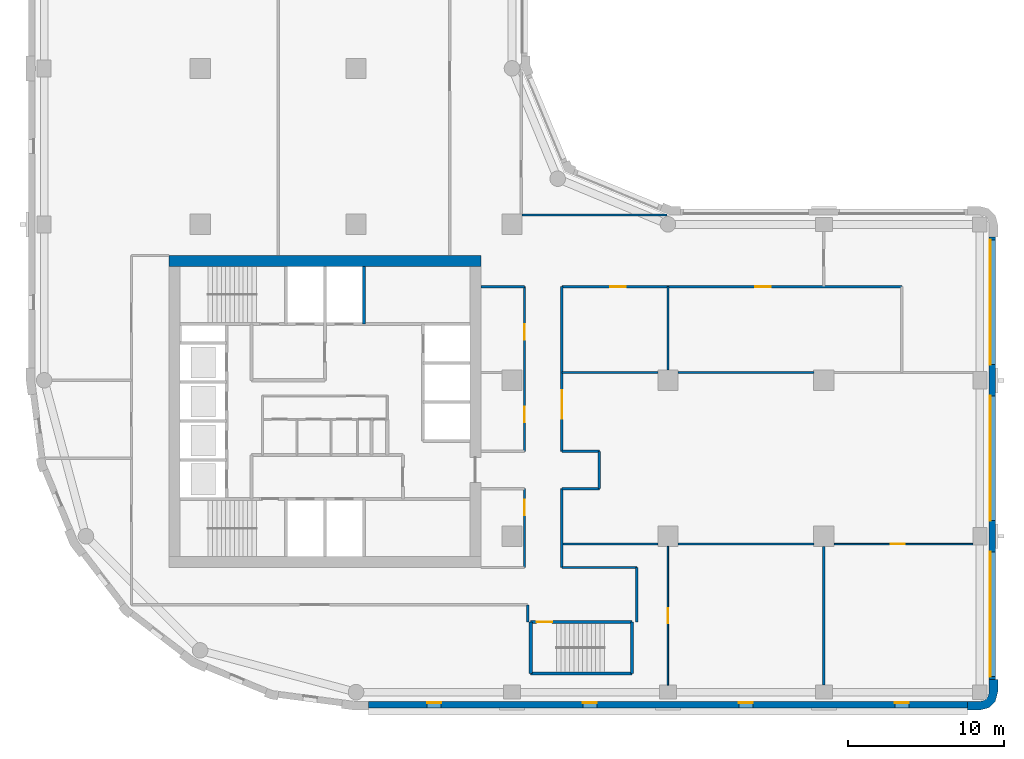
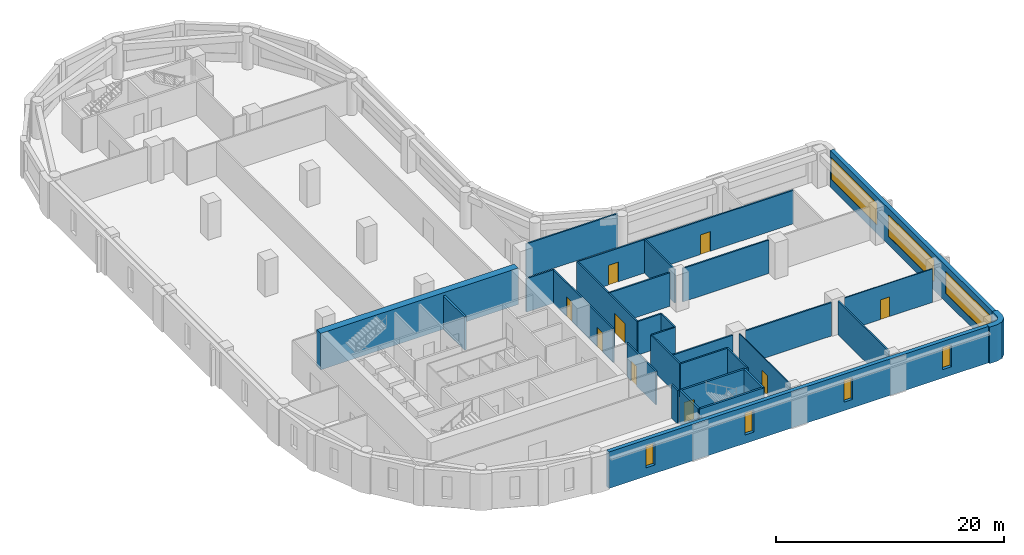
# One storey, part 4 of 9: 30 walls, 9 doors, 7 windows, 16 openings.
"""IFC4 building model written with IfcOpenShell, lengths in metres."""

from ifc_helpers import new_model, si_unit, direction, frame, frame_2d, origin, place, context, subcontext, project, spatial, polyline, rectangle, outline, extrude, material, layer, layer_set, type_object, element, fill, save


model = new_model("IFC4")

# Units and contexts
model_context = context("Model", 3, precision=1e-05, world=origin(), true_north=direction((0.0, 1.0)))
body_context = subcontext(model_context, "Body", "Model", "MODEL_VIEW")
ifc_project = project(units=[si_unit("LENGTHUNIT", "METRE"), si_unit("AREAUNIT", "SQUARE_METRE"), si_unit("VOLUMEUNIT", "CUBIC_METRE"), si_unit("PLANEANGLEUNIT", "RADIAN"), si_unit("MASSUNIT", "GRAM", prefix="KILO")], contexts=[model_context])

# Site, building, storey
site_placement = place(None, origin())
site = spatial("IfcSite", under=ifc_project, at=site_placement, CompositionType="ELEMENT")
building_placement = place(site_placement, origin())
building = spatial("IfcBuilding", under=site, at=building_placement, Name="Qaws Garden Tower", CompositionType="ELEMENT")
storey_placement = place(building_placement, frame((0.0, 0.0, 221.39990234375)))
storey = spatial("IfcBuildingStorey", under=building, at=storey_placement, Name="L54", CompositionType="ELEMENT", Elevation=221.39990234375)

# Wall
ifc_material_1 = material(Name="Clay facing brick masonry", Category="masonry")
ifc_layer_1 = layer(ifc_material_1, 0.550048828125)
ifc_layer_set_1 = layer_set([ifc_layer_1], Name="Clay facing brick masonry")
wall_type_1 = type_object("IfcWallType", Name="Brick corner pier 550 x 2400", PredefinedType="SOLIDWALL", material=ifc_layer_set_1)
wall_1_placement = place(storey_placement, origin())
element("IfcWall", 1, at=wall_1_placement, inside=storey, type_object=wall_type_1, Name="E-L54-pier-04", PredefinedType="SOLIDWALL", context=body_context, shape_type="SweptSolid", body=[
    extrude(outline(polyline([(59.199951171875, -1.0), (59.199951171875, -1.14990234375), (60.0, -1.14990234375), (60.574951171875, -0.995849609375), (60.995849609375, -0.574951171875), (61.14990234375, 0.0), (61.14990234375, 0.800048828125), (61.0, 0.800048828125), (60.60009765625, 0.800048828125), (60.60009765625, 0.0), (60.51953125, -0.300048828125), (60.300048828125, -0.51953125), (60.0, -0.60009765625), (59.199951171875, -0.60009765625), (59.199951171875, -1.0)])), origin(), (0.0, 0.0, 1.0), 3.900146484375),
])

# Wall, openings, windows
ifc_material_2 = material(Name="Clay facing brick masonry", Category="masonry")
ifc_layer_2 = layer(ifc_material_2, 0.39990234375)
ifc_layer_set_2 = layer_set([ifc_layer_2], Name="Clay facing brick masonry")
wall_type_2 = type_object("IfcWallType", Name="Brick infill wall 400", PredefinedType="SOLIDWALL", material=ifc_layer_set_2)
wall_2_placement = place(storey_placement, frame((20.800048828125, -0.800048828125, 0.0), z_axis=(0.0, 0.0, 1.0), x_axis=(1.0, 0.0, 0.0)))
wall_2 = element("IfcWall", 2, at=wall_2_placement, inside=storey, type_object=wall_type_2, Name="E-L54-infill-00", PredefinedType="SOLIDWALL", context=body_context, shape_type="SweptSolid", body=[
    extrude(rectangle(XDim=38.39990234375, YDim=0.39990234375, at=frame_2d((19.199951171875, 0.0))), origin(), (0.0, 0.0, 1.0), 3.900146484375),
])
opening_1_placement = place(wall_2_placement, frame((3.75, 0.0, 0.89990234375)))
opening_1 = element("IfcOpeningElement", 3, at=opening_1_placement, cuts=wall_2, Name="Opening W09", PredefinedType="OPENING", context=body_context, shape_type="SweptSolid", body=[
    extrude(rectangle(XDim=0.89990234375, YDim=2.35009765625, at=frame_2d((0.449951171875, 1.175048828125))), frame((0.0, 0.2099609375, 0.0), z_axis=(0.0, -1.0, 0.0), x_axis=(1.0, 0.0, 0.0)), (0.0, 0.0, 1.0), 0.419921875),
])
opening_2_placement = place(wall_2_placement, frame((13.75, 0.0, 0.89990234375)))
opening_2 = element("IfcOpeningElement", 4, at=opening_2_placement, cuts=wall_2, Name="Opening W09", PredefinedType="OPENING", context=body_context, shape_type="SweptSolid", body=[
    extrude(rectangle(XDim=0.89990234375, YDim=2.35009765625, at=frame_2d((0.449951171875, 1.175048828125))), frame((0.0, 0.2099609375, 0.0), z_axis=(0.0, -1.0, 0.0), x_axis=(1.0, 0.0, 0.0)), (0.0, 0.0, 1.0), 0.419921875),
])
opening_3_placement = place(wall_2_placement, frame((23.75, 0.0, 0.89990234375)))
opening_3 = element("IfcOpeningElement", 5, at=opening_3_placement, cuts=wall_2, Name="Opening W09", PredefinedType="OPENING", context=body_context, shape_type="SweptSolid", body=[
    extrude(rectangle(XDim=0.89990234375, YDim=2.35009765625, at=frame_2d((0.449951171875, 1.175048828125))), frame((0.0, 0.2099609375, 0.0), z_axis=(0.0, -1.0, 0.0), x_axis=(1.0, 0.0, 0.0)), (0.0, 0.0, 1.0), 0.419921875),
])
opening_4_placement = place(wall_2_placement, frame((33.75, 0.0, 0.89990234375)))
opening_4 = element("IfcOpeningElement", 6, at=opening_4_placement, cuts=wall_2, Name="Opening W09", PredefinedType="OPENING", context=body_context, shape_type="SweptSolid", body=[
    extrude(rectangle(XDim=0.89990234375, YDim=2.35009765625, at=frame_2d((0.449951171875, 1.175048828125))), frame((0.0, 0.2099609375, 0.0), z_axis=(0.0, -1.0, 0.0), x_axis=(1.0, 0.0, 0.0)), (0.0, 0.0, 1.0), 0.419921875),
])
ifc_material_3 = material(Name="Aluminium framed window, clear glazing", Category="aluminium")
window_type_1 = type_object("IfcWindowType", Name="Slit window 900 x 2350", PartitioningType="SINGLE_PANEL", PredefinedType="WINDOW", material=ifc_material_3)
window_1_placement = place(opening_1_placement, origin())
window_1 = element("IfcWindow", 7, at=window_1_placement, inside=storey, type_object=window_type_1, Name="E-L54-window-00-0", OverallHeight=2.35009765625, OverallWidth=0.89990234375, PartitioningType="SINGLE_PANEL", PredefinedType="WINDOW", context=body_context, shape_type="SweptSolid", body=[
    extrude(rectangle(XDim=0.89990234375, YDim=2.35009765625, at=frame_2d((0.449951171875, 1.175048828125))), frame((0.0, 0.159912109375, 0.0), z_axis=(0.0, -1.0, 0.0), x_axis=(1.0, 0.0, 0.0)), (0.0, 0.0, 1.0), 0.06005859375),
])
fill(opening_1, window_1)
window_2_placement = place(opening_2_placement, origin())
window_2 = element("IfcWindow", 8, at=window_2_placement, inside=storey, type_object=window_type_1, Name="E-L54-window-01-0", OverallHeight=2.35009765625, OverallWidth=0.89990234375, PartitioningType="SINGLE_PANEL", PredefinedType="WINDOW", context=body_context, shape_type="SweptSolid", body=[
    extrude(rectangle(XDim=0.89990234375, YDim=2.35009765625, at=frame_2d((0.449951171875, 1.175048828125))), frame((0.0, 0.159912109375, 0.0), z_axis=(0.0, -1.0, 0.0), x_axis=(1.0, 0.0, 0.0)), (0.0, 0.0, 1.0), 0.06005859375),
])
fill(opening_2, window_2)
window_3_placement = place(opening_3_placement, origin())
window_3 = element("IfcWindow", 9, at=window_3_placement, inside=storey, type_object=window_type_1, Name="E-L54-window-02-0", OverallHeight=2.35009765625, OverallWidth=0.89990234375, PartitioningType="SINGLE_PANEL", PredefinedType="WINDOW", context=body_context, shape_type="SweptSolid", body=[
    extrude(rectangle(XDim=0.89990234375, YDim=2.35009765625, at=frame_2d((0.449951171875, 1.175048828125))), frame((0.0, 0.159912109375, 0.0), z_axis=(0.0, -1.0, 0.0), x_axis=(1.0, 0.0, 0.0)), (0.0, 0.0, 1.0), 0.06005859375),
])
fill(opening_3, window_3)
window_4_placement = place(opening_4_placement, origin())
window_4 = element("IfcWindow", 10, at=window_4_placement, inside=storey, type_object=window_type_1, Name="E-L54-window-03-0", OverallHeight=2.35009765625, OverallWidth=0.89990234375, PartitioningType="SINGLE_PANEL", PredefinedType="WINDOW", context=body_context, shape_type="SweptSolid", body=[
    extrude(rectangle(XDim=0.89990234375, YDim=2.35009765625, at=frame_2d((0.449951171875, 1.175048828125))), frame((0.0, 0.159912109375, 0.0), z_axis=(0.0, -1.0, 0.0), x_axis=(1.0, 0.0, 0.0)), (0.0, 0.0, 1.0), 0.06005859375),
])
fill(opening_4, window_4)

wall_3_placement = place(storey_placement, frame((60.800048828125, 0.800048828125, 0.0), z_axis=(0.0, 0.0, 1.0), x_axis=(0.0, 1.0, 0.0)))
wall_3 = element("IfcWall", 11, at=wall_3_placement, inside=storey, type_object=wall_type_2, Name="E-L54-infill-04", PredefinedType="SOLIDWALL", context=body_context, shape_type="SweptSolid", body=[
    extrude(rectangle(XDim=28.39990234375, YDim=0.39990234375, at=frame_2d((14.199951171875, 0.0))), origin(), (0.0, 0.0, 1.0), 3.900146484375),
])
opening_5_placement = place(wall_3_placement, frame((0.199951171875, 0.0, 0.89990234375)))
opening_5 = element("IfcOpeningElement", 12, at=opening_5_placement, cuts=wall_3, Name="Opening W01", PredefinedType="OPENING", context=body_context, shape_type="SweptSolid", body=[
    extrude(rectangle(XDim=8.0, YDim=2.35009765625, at=frame_2d((4.0, 1.175048828125))), frame((0.0, 0.2099609375, 0.0), z_axis=(0.0, -1.0, 0.0), x_axis=(1.0, 0.0, 0.0)), (0.0, 0.0, 1.0), 0.419921875),
])
opening_6_placement = place(wall_3_placement, frame((10.199951171875, 0.0, 0.89990234375)))
opening_6 = element("IfcOpeningElement", 13, at=opening_6_placement, cuts=wall_3, Name="Opening W01", PredefinedType="OPENING", context=body_context, shape_type="SweptSolid", body=[
    extrude(rectangle(XDim=8.0, YDim=2.35009765625, at=frame_2d((4.0, 1.175048828125))), frame((0.0, 0.2099609375, 0.0), z_axis=(0.0, -1.0, 0.0), x_axis=(1.0, 0.0, 0.0)), (0.0, 0.0, 1.0), 0.419921875),
])
opening_7_placement = place(wall_3_placement, frame((20.199951171875, 0.0, 0.89990234375)))
opening_7 = element("IfcOpeningElement", 14, at=opening_7_placement, cuts=wall_3, Name="Opening W01", PredefinedType="OPENING", context=body_context, shape_type="SweptSolid", body=[
    extrude(rectangle(XDim=8.0, YDim=2.35009765625, at=frame_2d((4.0, 1.175048828125))), frame((0.0, 0.2099609375, 0.0), z_axis=(0.0, -1.0, 0.0), x_axis=(1.0, 0.0, 0.0)), (0.0, 0.0, 1.0), 0.419921875),
])
ifc_material_4 = material(Name="Aluminium framed window, clear glazing", Category="aluminium")
window_type_2 = type_object("IfcWindowType", Name="Ribbon window 8000 x 2350", PartitioningType="DOUBLE_PANEL_VERTICAL", PredefinedType="WINDOW", material=ifc_material_4)
window_5_placement = place(opening_5_placement, origin())
window_5 = element("IfcWindow", 15, at=window_5_placement, inside=storey, type_object=window_type_2, Name="E-L54-window-04-0", OverallHeight=2.35009765625, OverallWidth=8.0, PartitioningType="SINGLE_PANEL", PredefinedType="WINDOW", context=body_context, shape_type="SweptSolid", body=[
    extrude(rectangle(XDim=8.0, YDim=2.35009765625, at=frame_2d((4.0, 1.175048828125))), frame((0.0, 0.159912109375, 0.0), z_axis=(0.0, -1.0, 0.0), x_axis=(1.0, 0.0, 0.0)), (0.0, 0.0, 1.0), 0.06005859375),
])
fill(opening_5, window_5)
window_6_placement = place(opening_6_placement, origin())
window_6 = element("IfcWindow", 16, at=window_6_placement, inside=storey, type_object=window_type_2, Name="E-L54-window-05-0", OverallHeight=2.35009765625, OverallWidth=8.0, PartitioningType="SINGLE_PANEL", PredefinedType="WINDOW", context=body_context, shape_type="SweptSolid", body=[
    extrude(rectangle(XDim=8.0, YDim=2.35009765625, at=frame_2d((4.0, 1.175048828125))), frame((0.0, 0.159912109375, 0.0), z_axis=(0.0, -1.0, 0.0), x_axis=(1.0, 0.0, 0.0)), (0.0, 0.0, 1.0), 0.06005859375),
])
fill(opening_6, window_6)
window_7_placement = place(opening_7_placement, origin())
window_7 = element("IfcWindow", 17, at=window_7_placement, inside=storey, type_object=window_type_2, Name="E-L54-window-06-0", OverallHeight=2.35009765625, OverallWidth=8.0, PartitioningType="SINGLE_PANEL", PredefinedType="WINDOW", context=body_context, shape_type="SweptSolid", body=[
    extrude(rectangle(XDim=8.0, YDim=2.35009765625, at=frame_2d((4.0, 1.175048828125))), frame((0.0, 0.159912109375, 0.0), z_axis=(0.0, -1.0, 0.0), x_axis=(1.0, 0.0, 0.0)), (0.0, 0.0, 1.0), 0.06005859375),
])
fill(opening_7, window_7)

# Wall
ifc_material_5 = material(Name="Concrete C70", Category="concrete")
ifc_layer_3 = layer(ifc_material_5, 0.199951171875)
ifc_layer_set_3 = layer_set([ifc_layer_3], Name="Concrete C70")
wall_type_3 = type_object("IfcWallType", Name="Core shaft wall 200 C70", PredefinedType="SHEAR", material=ifc_layer_set_3)
wall_4_placement = place(storey_placement, frame((31.199951171875, 1.199951171875, 0.0), z_axis=(0.0, 0.0, 1.0), x_axis=(1.0, 0.0, 0.0)))
element("IfcWall", 18, at=wall_4_placement, inside=storey, type_object=wall_type_3, Name="Shaft wall", PredefinedType="SHEAR", context=body_context, shape_type="SweptSolid", body=[
    extrude(rectangle(XDim=6.5, YDim=0.199951171875, at=frame_2d((3.25, 0.0))), origin(), (0.0, 0.0, 1.0), 3.580078125),
])

# Wall, opening, door
wall_5_placement = place(storey_placement, frame((31.199951171875, 4.5, 0.0), z_axis=(0.0, 0.0, 1.0), x_axis=(1.0, 0.0, 0.0)))
wall_5 = element("IfcWall", 19, at=wall_5_placement, inside=storey, type_object=wall_type_3, Name="Shaft wall", PredefinedType="SHEAR", context=body_context, shape_type="SweptSolid", body=[
    extrude(rectangle(XDim=6.5, YDim=0.199951171875, at=frame_2d((3.25, 0.0))), origin(), (0.0, 0.0, 1.0), 3.580078125),
])
opening_8_placement = place(wall_5_placement, frame((0.375, 0.0, 0.0)))
opening_8 = element("IfcOpeningElement", 20, at=opening_8_placement, cuts=wall_5, Name="Opening SD12", PredefinedType="OPENING", context=body_context, shape_type="SweptSolid", body=[
    extrude(rectangle(XDim=1.0, YDim=2.10009765625, at=frame_2d((0.5, 1.050048828125))), frame((0.0, 0.10986328125, 0.0), z_axis=(0.0, -1.0, 0.0), x_axis=(1.0, 0.0, 0.0)), (0.0, 0.0, 1.0), 0.219970703125),
])
ifc_material_6 = material(Name="Steel S235", Category="steel")
door_type_1 = type_object("IfcDoorType", Name="Stair door 1000x2100", OperationType="SINGLE_SWING_RIGHT", PredefinedType="DOOR", material=ifc_material_6)
door_1_placement = place(opening_8_placement, frame((1.0, 0.0, 0.0), z_axis=(0.0, 0.0, 1.0), x_axis=(-1.0, 0.0, 0.0)))
door_1 = element("IfcDoor", 21, at=door_1_placement, inside=storey, type_object=door_type_1, Name="Stair 5 door", OperationType="SINGLE_SWING_RIGHT", OverallHeight=2.10009765625, OverallWidth=1.0, PredefinedType="DOOR", context=body_context, shape_type="SweptSolid", body=[
    extrude(rectangle(XDim=1.0, YDim=2.10009765625, at=frame_2d((0.5, 1.050048828125))), frame((0.0, 0.02490234375, 0.0), z_axis=(0.0, -1.0, 0.0), x_axis=(1.0, 0.0, 0.0)), (0.0, 0.0, 1.0), 0.050048828125),
])
fill(opening_8, door_1)

# Walls
wall_6_placement = place(storey_placement, frame((20.5, 23.60009765625, 0.0), z_axis=(0.0, 0.0, 1.0), x_axis=(0.0, 1.0, 0.0)))
element("IfcWall", 22, at=wall_6_placement, inside=storey, type_object=wall_type_3, Name="Shaft wall", PredefinedType="SHEAR", context=body_context, shape_type="SweptSolid", body=[
    extrude(rectangle(XDim=3.699951171875, YDim=0.199951171875, at=frame_2d((1.85009765625, 0.0))), origin(), (0.0, 0.0, 1.0), 3.580078125),
])
for number, where, z_axis, x_axis, name in (
    (23, (31.199951171875, 1.199951171875, 0.0), (0.0, 0.0, 1.0), (0.0, 1.0, 0.0), "Shaft wall"),
    (24, (37.699951171875, 1.199951171875, 0.0), (0.0, 0.0, 1.0), (0.0, 1.0, 0.0), "Shaft wall"),
):
    element("IfcWall", number, at=place(storey_placement, frame(where, z_axis=z_axis, x_axis=x_axis)), inside=storey, type_object=wall_type_3, Name=name, PredefinedType="SHEAR", context=body_context, shape_type="SweptSolid", body=[
        extrude(rectangle(XDim=3.300048828125, YDim=0.199951171875, at=frame_2d((1.64990234375, 0.0))), origin(), (0.0, 0.0, 1.0), 3.580078125),
    ])
ifc_material_7 = material(Name="Concrete C70", Category="concrete")
ifc_layer_4 = layer(ifc_material_7, 0.699951171875)
ifc_layer_set_4 = layer_set([ifc_layer_4], Name="Concrete C70")
wall_type_4 = type_object("IfcWallType", Name="Core wall 700 C70", PredefinedType="SHEAR", material=ifc_layer_set_4)
wall_7_placement = place(storey_placement, frame((28.0, 27.64990234375, 0.0), z_axis=(0.0, 0.0, 1.0), x_axis=(-1.0, 0.0, 0.0)))
element("IfcWall", 25, at=wall_7_placement, inside=storey, type_object=wall_type_4, Name="Core wall L54 north", PredefinedType="SHEAR", context=body_context, shape_type="SweptSolid", body=[
    extrude(rectangle(XDim=20.0, YDim=0.699951171875, at=frame_2d((10.0, 0.0))), origin(), (0.0, 0.0, 1.0), 3.900146484375),
])

# Wall, opening, door
ifc_material_8 = material(Name="Gypsum board partition")
ifc_layer_5 = layer(ifc_material_8, 0.10009765625)
ifc_layer_set_5 = layer_set([ifc_layer_5], Name="Gypsum board partition")
wall_type_5 = type_object("IfcWallType", Name="PARTITION 100", PredefinedType="PARTITIONING", material=ifc_layer_set_5)
wall_8_placement = place(storey_placement, frame((40.0, 0.449951171875, 0.0), z_axis=(0.0, 0.0, 1.0), x_axis=(0.0, 1.0, 0.0)))
wall_8 = element("IfcWall", 26, at=wall_8_placement, inside=storey, type_object=wall_type_5, Name="O-L54-wall-001", PredefinedType="PARTITIONING", context=body_context, shape_type="SweptSolid", body=[
    extrude(rectangle(XDim=8.900146484375, YDim=0.10009765625, at=frame_2d((4.4501953125, 0.0))), origin(), (0.0, 0.0, 1.0), 3.580078125),
])
opening_9_placement = place(wall_8_placement, frame((3.97509765625, 0.0, 0.0)))
opening_9 = element("IfcOpeningElement", 27, at=opening_9_placement, cuts=wall_8, Name="Opening B816", PredefinedType="OPENING", context=body_context, shape_type="SweptSolid", body=[
    extrude(rectangle(XDim=0.949951171875, YDim=2.10009765625, at=frame_2d((0.47509765625, 1.050048828125))), frame((0.0, 0.06005859375, 0.0), z_axis=(0.0, -1.0, 0.0), x_axis=(1.0, 0.0, 0.0)), (0.0, 0.0, 1.0), 0.1201171875),
])
ifc_material_9 = material(Name="Timber and glass door leaf", Category="wood")
door_type_2 = type_object("IfcDoorType", Name="GLAZED DOOR 950 X 2100", OperationType="SINGLE_SWING_LEFT", PredefinedType="DOOR", material=ifc_material_9)
door_2_placement = place(opening_9_placement, frame((0.949951171875, 0.0, 0.0), z_axis=(0.0, 0.0, 1.0), x_axis=(-1.0, 0.0, 0.0)))
door_2 = element("IfcDoor", 28, at=door_2_placement, inside=storey, type_object=door_type_2, Name="O-L54-door-016", OperationType="SINGLE_SWING_LEFT", OverallHeight=2.10009765625, OverallWidth=0.949951171875, PredefinedType="DOOR", context=body_context, shape_type="SweptSolid", body=[
    extrude(rectangle(XDim=0.949951171875, YDim=2.10009765625, at=frame_2d((0.47509765625, 1.050048828125))), frame((0.0, 0.02490234375, 0.0), z_axis=(0.0, -1.0, 0.0), x_axis=(1.0, 0.0, 0.0)), (0.0, 0.0, 1.0), 0.050048828125),
])
fill(opening_9, door_2)

wall_9_placement = place(storey_placement, frame((50.64990234375, 9.5, 0.0), z_axis=(0.0, 0.0, 1.0), x_axis=(1.0, 0.0, 0.0)))
wall_9 = element("IfcWall", 29, at=wall_9_placement, inside=storey, type_object=wall_type_5, Name="O-L54-wall-002", PredefinedType="PARTITIONING", context=body_context, shape_type="SweptSolid", body=[
    extrude(rectangle(XDim=8.900146484375, YDim=0.10009765625, at=frame_2d((4.4501953125, 0.0))), origin(), (0.0, 0.0, 1.0), 3.580078125),
])
opening_10_placement = place(wall_9_placement, frame((3.64990234375, 0.0, 0.0)))
opening_10 = element("IfcOpeningElement", 30, at=opening_10_placement, cuts=wall_9, Name="Opening B815", PredefinedType="OPENING", context=body_context, shape_type="SweptSolid", body=[
    extrude(rectangle(XDim=0.89990234375, YDim=2.10009765625, at=frame_2d((0.449951171875, 1.050048828125))), frame((0.0, 0.06005859375, 0.0), z_axis=(0.0, -1.0, 0.0), x_axis=(1.0, 0.0, 0.0)), (0.0, 0.0, 1.0), 0.1201171875),
])
ifc_material_10 = material(Name="Timber door leaf", Category="wood")
door_type_3 = type_object("IfcDoorType", Name="OFFICE DOOR 900 X 2100", OperationType="SINGLE_SWING_LEFT", PredefinedType="DOOR", material=ifc_material_10)
door_3_placement = place(opening_10_placement, frame((0.89990234375, 0.0, 0.0), z_axis=(0.0, 0.0, 1.0), x_axis=(-1.0, 0.0, 0.0)))
door_3 = element("IfcDoor", 31, at=door_3_placement, inside=storey, type_object=door_type_3, Name="O-L54-door-015", OperationType="SINGLE_SWING_RIGHT", OverallHeight=2.10009765625, OverallWidth=0.89990234375, PredefinedType="DOOR", context=body_context, shape_type="SweptSolid", body=[
    extrude(rectangle(XDim=0.89990234375, YDim=2.10009765625, at=frame_2d((0.449951171875, 1.050048828125))), frame((0.0, 0.02490234375, 0.0), z_axis=(0.0, -1.0, 0.0), x_axis=(1.0, 0.0, 0.0)), (0.0, 0.0, 1.0), 0.050048828125),
])
fill(opening_10, door_3)

ifc_material_11 = material(Name="Gypsum board partition")
ifc_layer_6 = layer(ifc_material_11, 0.14990234375)
ifc_layer_set_6 = layer_set([ifc_layer_6], Name="Gypsum board partition")
wall_type_6 = type_object("IfcWallType", Name="PARTITION 150 EI 60", PredefinedType="PARTITIONING", material=ifc_layer_set_6)
wall_10_placement = place(storey_placement, frame((30.800048828125, 8.0009765625, 0.0), z_axis=(0.0, 0.0, 1.0), x_axis=(0.0, 1.0, 0.0)))
wall_10 = element("IfcWall", 32, at=wall_10_placement, inside=storey, type_object=wall_type_6, Name="O-L54-wall-010", PredefinedType="PARTITIONING", context=body_context, shape_type="SweptSolid", body=[
    extrude(rectangle(XDim=5.048095703125, YDim=0.14990234375, at=frame_2d((2.52392578125, 0.0))), origin(), (0.0, 0.0, 1.0), 3.580078125),
])
opening_11_placement = place(wall_10_placement, frame((3.35009765625, 0.0, 0.0)))
opening_11 = element("IfcOpeningElement", 33, at=opening_11_placement, cuts=wall_10, Name="Opening B812", PredefinedType="OPENING", context=body_context, shape_type="SweptSolid", body=[
    extrude(rectangle(XDim=1.0, YDim=2.10009765625, at=frame_2d((0.5, 1.050048828125))), frame((0.0, 0.0849609375, 0.0), z_axis=(0.0, -1.0, 0.0), x_axis=(1.0, 0.0, 0.0)), (0.0, 0.0, 1.0), 0.169921875),
])
ifc_material_12 = material(Name="Timber door leaf", Category="wood")
door_type_4 = type_object("IfcDoorType", Name="TENANCY ENTRANCE DOOR 1000 X 2100", OperationType="SINGLE_SWING_LEFT", PredefinedType="DOOR", material=ifc_material_12)
door_4_placement = place(opening_11_placement, origin())
door_4 = element("IfcDoor", 34, at=door_4_placement, inside=storey, type_object=door_type_4, Name="O-L54-door-012", OperationType="SINGLE_SWING_RIGHT", OverallHeight=2.10009765625, OverallWidth=1.0, PredefinedType="DOOR", context=body_context, shape_type="SweptSolid", body=[
    extrude(rectangle(XDim=1.0, YDim=2.10009765625, at=frame_2d((0.5, 1.050048828125))), frame((0.0, 0.02490234375, 0.0), z_axis=(0.0, -1.0, 0.0), x_axis=(1.0, 0.0, 0.0)), (0.0, 0.0, 1.0), 0.050048828125),
])
fill(opening_11, door_4)

# Wall, openings, doors
wall_11_placement = place(storey_placement, frame((30.800048828125, 15.449951171875, 0.0), z_axis=(0.0, 0.0, 1.0), x_axis=(0.0, 1.0, 0.0)))
wall_11 = element("IfcWall", 35, at=wall_11_placement, inside=storey, type_object=wall_type_6, Name="O-L54-wall-011", PredefinedType="PARTITIONING", context=body_context, shape_type="SweptSolid", body=[
    extrude(rectangle(XDim=10.550048828125, YDim=0.14990234375, at=frame_2d((5.27490234375, 0.0))), origin(), (0.0, 0.0, 1.0), 3.580078125),
])
opening_12_placement = place(wall_11_placement, frame((7.14990234375, 0.0, 0.0)))
opening_12 = element("IfcOpeningElement", 36, at=opening_12_placement, cuts=wall_11, Name="Opening B809", PredefinedType="OPENING", context=body_context, shape_type="SweptSolid", body=[
    extrude(rectangle(XDim=1.0, YDim=2.10009765625, at=frame_2d((0.5, 1.050048828125))), frame((0.0, 0.0849609375, 0.0), z_axis=(0.0, -1.0, 0.0), x_axis=(1.0, 0.0, 0.0)), (0.0, 0.0, 1.0), 0.169921875),
])
opening_13_placement = place(wall_11_placement, frame((1.85009765625, 0.0, 0.0)))
opening_13 = element("IfcOpeningElement", 37, at=opening_13_placement, cuts=wall_11, Name="Opening B814", PredefinedType="OPENING", context=body_context, shape_type="SweptSolid", body=[
    extrude(rectangle(XDim=1.0, YDim=2.10009765625, at=frame_2d((0.5, 1.050048828125))), frame((0.0, 0.0849609375, 0.0), z_axis=(0.0, -1.0, 0.0), x_axis=(1.0, 0.0, 0.0)), (0.0, 0.0, 1.0), 0.169921875),
])
door_5_placement = place(opening_12_placement, origin())
door_5 = element("IfcDoor", 38, at=door_5_placement, inside=storey, type_object=door_type_4, Name="O-L54-door-009", OperationType="SINGLE_SWING_RIGHT", OverallHeight=2.10009765625, OverallWidth=1.0, PredefinedType="DOOR", context=body_context, shape_type="SweptSolid", body=[
    extrude(rectangle(XDim=1.0, YDim=2.10009765625, at=frame_2d((0.5, 1.050048828125))), frame((0.0, 0.02490234375, 0.0), z_axis=(0.0, -1.0, 0.0), x_axis=(1.0, 0.0, 0.0)), (0.0, 0.0, 1.0), 0.050048828125),
])
fill(opening_12, door_5)
door_6_placement = place(opening_13_placement, origin())
door_6 = element("IfcDoor", 39, at=door_6_placement, inside=storey, type_object=door_type_4, Name="O-L54-door-014", OperationType="SINGLE_SWING_RIGHT", OverallHeight=2.10009765625, OverallWidth=1.0, PredefinedType="DOOR", context=body_context, shape_type="SweptSolid", body=[
    extrude(rectangle(XDim=1.0, YDim=2.10009765625, at=frame_2d((0.5, 1.050048828125))), frame((0.0, 0.02490234375, 0.0), z_axis=(0.0, -1.0, 0.0), x_axis=(1.0, 0.0, 0.0)), (0.0, 0.0, 1.0), 0.050048828125),
])
fill(opening_13, door_6)

# Walls
wall_12_placement = place(storey_placement, frame((31.0, 4.5, 0.0), z_axis=(0.0, 0.0, 1.0), x_axis=(0.0, 1.0, 0.0)))
element("IfcWall", 40, at=wall_12_placement, inside=storey, type_object=wall_type_6, Name="O-L54-wall-012", PredefinedType="PARTITIONING", context=body_context, shape_type="SweptSolid", body=[
    extrude(rectangle(XDim=1.10009765625, YDim=0.14990234375, at=frame_2d((0.550048828125, 0.0))), origin(), (0.0, 0.0, 1.0), 3.580078125),
])
wall_13_placement = place(storey_placement, frame((33.199951171875, 8.0, 0.0), z_axis=(0.0, 0.0, 1.0), x_axis=(0.0, 1.0, 0.0)))
element("IfcWall", 41, at=wall_13_placement, inside=storey, type_object=wall_type_6, Name="O-L54-wall-013", PredefinedType="PARTITIONING", context=body_context, shape_type="SweptSolid", body=[
    extrude(rectangle(XDim=5.050048828125, YDim=0.14990234375, at=frame_2d((2.52490234375, 0.0))), origin(), (0.0, 0.0, 1.0), 3.580078125),
])

# Wall, opening, door
wall_14_placement = place(storey_placement, frame((33.199951171875, 15.449951171875, 0.0), z_axis=(0.0, 0.0, 1.0), x_axis=(0.0, 1.0, 0.0)))
wall_14 = element("IfcWall", 42, at=wall_14_placement, inside=storey, type_object=wall_type_6, Name="O-L54-wall-014", PredefinedType="PARTITIONING", context=body_context, shape_type="SweptSolid", body=[
    extrude(rectangle(XDim=10.550048828125, YDim=0.14990234375, at=frame_2d((5.27490234375, 0.0))), origin(), (0.0, 0.0, 1.0), 3.580078125),
])
opening_14_placement = place(wall_14_placement, frame((2.10009765625, 0.0, 0.0)))
opening_14 = element("IfcOpeningElement", 43, at=opening_14_placement, cuts=wall_14, Name="Opening B813", PredefinedType="OPENING", context=body_context, shape_type="SweptSolid", body=[
    extrude(rectangle(XDim=1.800048828125, YDim=2.10009765625, at=frame_2d((0.89990234375, 1.050048828125))), frame((0.0, 0.0849609375, 0.0), z_axis=(0.0, -1.0, 0.0), x_axis=(1.0, 0.0, 0.0)), (0.0, 0.0, 1.0), 0.169921875),
])
ifc_material_13 = material(Name="Timber door leaf", Category="wood")
door_type_5 = type_object("IfcDoorType", Name="DOUBLE DOOR 1800 X 2100", OperationType="DOUBLE_DOOR_SINGLE_SWING", PredefinedType="DOOR", material=ifc_material_13)
door_7_placement = place(opening_14_placement, frame((1.800048828125, 0.0, 0.0), z_axis=(0.0, 0.0, 1.0), x_axis=(-1.0, 0.0, 0.0)))
door_7 = element("IfcDoor", 44, at=door_7_placement, inside=storey, type_object=door_type_5, Name="O-L54-door-013", OperationType="DOUBLE_DOOR_SINGLE_SWING", OverallHeight=2.10009765625, OverallWidth=1.800048828125, PredefinedType="DOOR", context=body_context, shape_type="SweptSolid", body=[
    extrude(rectangle(XDim=1.800048828125, YDim=2.10009765625, at=frame_2d((0.89990234375, 1.050048828125))), frame((0.0, 0.02490234375, 0.0), z_axis=(0.0, -1.0, 0.0), x_axis=(1.0, 0.0, 0.0)), (0.0, 0.0, 1.0), 0.050048828125),
])
fill(opening_14, door_7)

# Walls
wall_15_placement = place(storey_placement, frame((35.60009765625, 13.050048828125, 0.0), z_axis=(0.0, 0.0, 1.0), x_axis=(0.0, 1.0, 0.0)))
element("IfcWall", 45, at=wall_15_placement, inside=storey, type_object=wall_type_6, Name="O-L54-wall-015", PredefinedType="PARTITIONING", context=body_context, shape_type="SweptSolid", body=[
    extrude(rectangle(XDim=2.39990234375, YDim=0.14990234375, at=frame_2d((1.199951171875, 0.0))), origin(), (0.0, 0.0, 1.0), 3.580078125),
])
wall_16_placement = place(storey_placement, frame((38.0, 4.5, 0.0), z_axis=(0.0, 0.0, 1.0), x_axis=(0.0, 1.0, 0.0)))
element("IfcWall", 46, at=wall_16_placement, inside=storey, type_object=wall_type_6, Name="O-L54-wall-016", PredefinedType="PARTITIONING", context=body_context, shape_type="SweptSolid", body=[
    extrude(rectangle(XDim=3.5, YDim=0.14990234375, at=frame_2d((1.75, 0.0))), origin(), (0.0, 0.0, 1.0), 3.580078125),
])
wall_17_placement = place(storey_placement, frame((40.0, 20.64990234375, 0.0), z_axis=(0.0, 0.0, 1.0), x_axis=(0.0, 1.0, 0.0)))
element("IfcWall", 47, at=wall_17_placement, inside=storey, type_object=wall_type_6, Name="O-L54-wall-017", PredefinedType="PARTITIONING", context=body_context, shape_type="SweptSolid", body=[
    extrude(rectangle(XDim=5.35009765625, YDim=0.14990234375, at=frame_2d((2.675048828125, 0.0))), origin(), (0.0, 0.0, 1.0), 3.580078125),
])
wall_18_placement = place(storey_placement, frame((50.0, 0.449951171875, 0.0), z_axis=(0.0, 0.0, 1.0), x_axis=(0.0, 1.0, 0.0)))
element("IfcWall", 48, at=wall_18_placement, inside=storey, type_object=wall_type_6, Name="O-L54-wall-018", PredefinedType="PARTITIONING", context=body_context, shape_type="SweptSolid", body=[
    extrude(rectangle(XDim=8.900146484375, YDim=0.14990234375, at=frame_2d((4.4501953125, 0.0))), origin(), (0.0, 0.0, 1.0), 3.580078125),
])
wall_19_placement = place(storey_placement, frame((33.199951171875, 8.0, 0.0), z_axis=(0.0, 0.0, 1.0), x_axis=(1.0, 0.0, 0.0)))
element("IfcWall", 49, at=wall_19_placement, inside=storey, type_object=wall_type_6, Name="O-L54-wall-023", PredefinedType="PARTITIONING", context=body_context, shape_type="SweptSolid", body=[
    extrude(rectangle(XDim=4.800048828125, YDim=0.14990234375, at=frame_2d((2.39990234375, 0.0))), origin(), (0.0, 0.0, 1.0), 3.580078125),
])
wall_20_placement = place(storey_placement, frame((33.199951171875, 9.5, 0.0), z_axis=(0.0, 0.0, 1.0), x_axis=(1.0, 0.0, 0.0)))
element("IfcWall", 50, at=wall_20_placement, inside=storey, type_object=wall_type_6, Name="O-L54-wall-024", PredefinedType="PARTITIONING", context=body_context, shape_type="SweptSolid", body=[
    extrude(rectangle(XDim=6.150146484375, YDim=0.14990234375, at=frame_2d((3.0751953125, 0.0))), origin(), (0.0, 0.0, 1.0), 3.580078125),
])
wall_21_placement = place(storey_placement, frame((40.64990234375, 9.5, 0.0), z_axis=(0.0, 0.0, 1.0), x_axis=(1.0, 0.0, 0.0)))
element("IfcWall", 51, at=wall_21_placement, inside=storey, type_object=wall_type_6, Name="O-L54-wall-025", PredefinedType="PARTITIONING", context=body_context, shape_type="SweptSolid", body=[
    extrude(rectangle(XDim=8.7001953125, YDim=0.14990234375, at=frame_2d((4.35009765625, 0.0))), origin(), (0.0, 0.0, 1.0), 3.580078125),
])
for number, where, z_axis, x_axis, name in (
    (52, (33.199951171875, 13.050048828125, 0.0), (0.0, 0.0, 1.0), (1.0, 0.0, 0.0), "O-L54-wall-027"),
    (53, (33.199951171875, 15.449951171875, 0.0), (0.0, 0.0, 1.0), (1.0, 0.0, 0.0), "O-L54-wall-030"),
):
    element("IfcWall", number, at=place(storey_placement, frame(where, z_axis=z_axis, x_axis=x_axis)), inside=storey, type_object=wall_type_6, Name=name, PredefinedType="PARTITIONING", context=body_context, shape_type="SweptSolid", body=[
        extrude(rectangle(XDim=2.400146484375, YDim=0.14990234375, at=frame_2d((1.2001953125, 0.0))), origin(), (0.0, 0.0, 1.0), 3.580078125),
    ])
wall_22_placement = place(storey_placement, frame((33.199951171875, 20.5, 0.0), z_axis=(0.0, 0.0, 1.0), x_axis=(1.0, 0.0, 0.0)))
element("IfcWall", 54, at=wall_22_placement, inside=storey, type_object=wall_type_6, Name="O-L54-wall-033", PredefinedType="PARTITIONING", context=body_context, shape_type="SweptSolid", body=[
    extrude(rectangle(XDim=6.150146484375, YDim=0.14990234375, at=frame_2d((3.0751953125, 0.0))), origin(), (0.0, 0.0, 1.0), 3.580078125),
])
wall_23_placement = place(storey_placement, frame((40.64990234375, 20.5, 0.0), z_axis=(0.0, 0.0, 1.0), x_axis=(1.0, 0.0, 0.0)))
element("IfcWall", 55, at=wall_23_placement, inside=storey, type_object=wall_type_6, Name="O-L54-wall-034", PredefinedType="PARTITIONING", context=body_context, shape_type="SweptSolid", body=[
    extrude(rectangle(XDim=8.7001953125, YDim=0.14990234375, at=frame_2d((4.35009765625, 0.0))), origin(), (0.0, 0.0, 1.0), 3.580078125),
])
wall_24_placement = place(storey_placement, frame((28.0, 26.0, 0.0), z_axis=(0.0, 0.0, 1.0), x_axis=(1.0, 0.0, 0.0)))
element("IfcWall", 56, at=wall_24_placement, inside=storey, type_object=wall_type_6, Name="O-L54-wall-036", PredefinedType="PARTITIONING", context=body_context, shape_type="SweptSolid", body=[
    extrude(rectangle(XDim=2.800048828125, YDim=0.14990234375, at=frame_2d((1.39990234375, 0.0))), origin(), (0.0, 0.0, 1.0), 3.580078125),
])

# Wall, openings, doors
wall_25_placement = place(storey_placement, frame((33.199951171875, 26.0, 0.0), z_axis=(0.0, 0.0, 1.0), x_axis=(1.0, 0.0, 0.0)))
wall_25 = element("IfcWall", 57, at=wall_25_placement, inside=storey, type_object=wall_type_6, Name="O-L54-wall-037", PredefinedType="PARTITIONING", context=body_context, shape_type="SweptSolid", body=[
    extrude(rectangle(XDim=21.800048828125, YDim=0.14990234375, at=frame_2d((10.89990234375, 0.0))), origin(), (0.0, 0.0, 1.0), 3.580078125),
])
opening_15_placement = place(wall_25_placement, frame((3.10009765625, 0.0, 0.0)))
opening_15 = element("IfcOpeningElement", 58, at=opening_15_placement, cuts=wall_25, Name="Opening B810", PredefinedType="OPENING", context=body_context, shape_type="SweptSolid", body=[
    extrude(rectangle(XDim=1.0, YDim=2.10009765625, at=frame_2d((0.5, 1.050048828125))), frame((0.0, 0.0849609375, 0.0), z_axis=(0.0, -1.0, 0.0), x_axis=(1.0, 0.0, 0.0)), (0.0, 0.0, 1.0), 0.169921875),
])
opening_16_placement = place(wall_25_placement, frame((12.39990234375, 0.0, 0.0)))
opening_16 = element("IfcOpeningElement", 59, at=opening_16_placement, cuts=wall_25, Name="Opening B811", PredefinedType="OPENING", context=body_context, shape_type="SweptSolid", body=[
    extrude(rectangle(XDim=1.0, YDim=2.10009765625, at=frame_2d((0.5, 1.050048828125))), frame((0.0, 0.0849609375, 0.0), z_axis=(0.0, -1.0, 0.0), x_axis=(1.0, 0.0, 0.0)), (0.0, 0.0, 1.0), 0.169921875),
])
door_8_placement = place(opening_15_placement, frame((1.0, 0.0, 0.0), z_axis=(0.0, 0.0, 1.0), x_axis=(-1.0, 0.0, 0.0)))
door_8 = element("IfcDoor", 60, at=door_8_placement, inside=storey, type_object=door_type_4, Name="O-L54-door-010", OperationType="SINGLE_SWING_RIGHT", OverallHeight=2.10009765625, OverallWidth=1.0, PredefinedType="DOOR", context=body_context, shape_type="SweptSolid", body=[
    extrude(rectangle(XDim=1.0, YDim=2.10009765625, at=frame_2d((0.5, 1.050048828125))), frame((0.0, 0.02490234375, 0.0), z_axis=(0.0, -1.0, 0.0), x_axis=(1.0, 0.0, 0.0)), (0.0, 0.0, 1.0), 0.050048828125),
])
fill(opening_15, door_8)
door_9_placement = place(opening_16_placement, frame((1.0, 0.0, 0.0), z_axis=(0.0, 0.0, 1.0), x_axis=(-1.0, 0.0, 0.0)))
door_9 = element("IfcDoor", 61, at=door_9_placement, inside=storey, type_object=door_type_4, Name="O-L54-door-011", OperationType="SINGLE_SWING_RIGHT", OverallHeight=2.10009765625, OverallWidth=1.0, PredefinedType="DOOR", context=body_context, shape_type="SweptSolid", body=[
    extrude(rectangle(XDim=1.0, YDim=2.10009765625, at=frame_2d((0.5, 1.050048828125))), frame((0.0, 0.02490234375, 0.0), z_axis=(0.0, -1.0, 0.0), x_axis=(1.0, 0.0, 0.0)), (0.0, 0.0, 1.0), 0.050048828125),
])
fill(opening_16, door_9)

# Wall
wall_26_placement = place(storey_placement, frame((30.64990234375, 30.60009765625, 0.0), z_axis=(0.0, 0.0, 1.0), x_axis=(1.0, 0.0, 0.0)))
element("IfcWall", 62, at=wall_26_placement, inside=storey, type_object=wall_type_6, Name="O-L54-wall-039", PredefinedType="PARTITIONING", context=body_context, shape_type="SweptSolid", body=[
    extrude(rectangle(XDim=9.288330078125, YDim=0.14990234375, at=frame_2d((4.64404296875, 0.0))), origin(), (0.0, 0.0, 1.0), 3.580078125),
])

save(model, "model.ifc")
